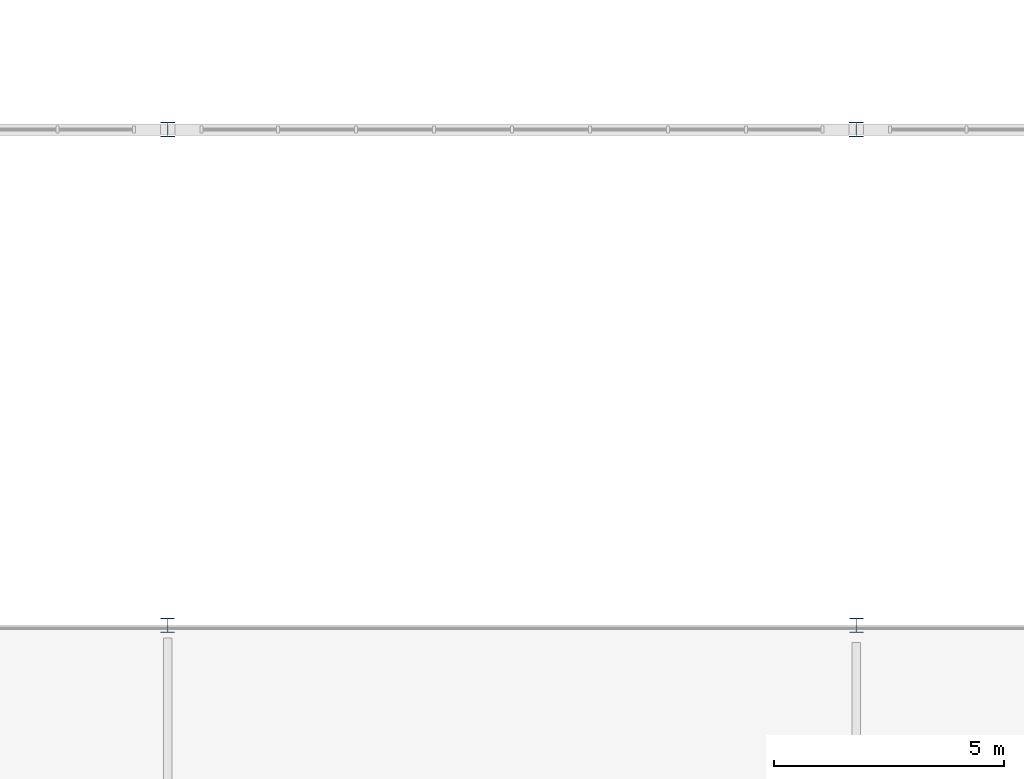
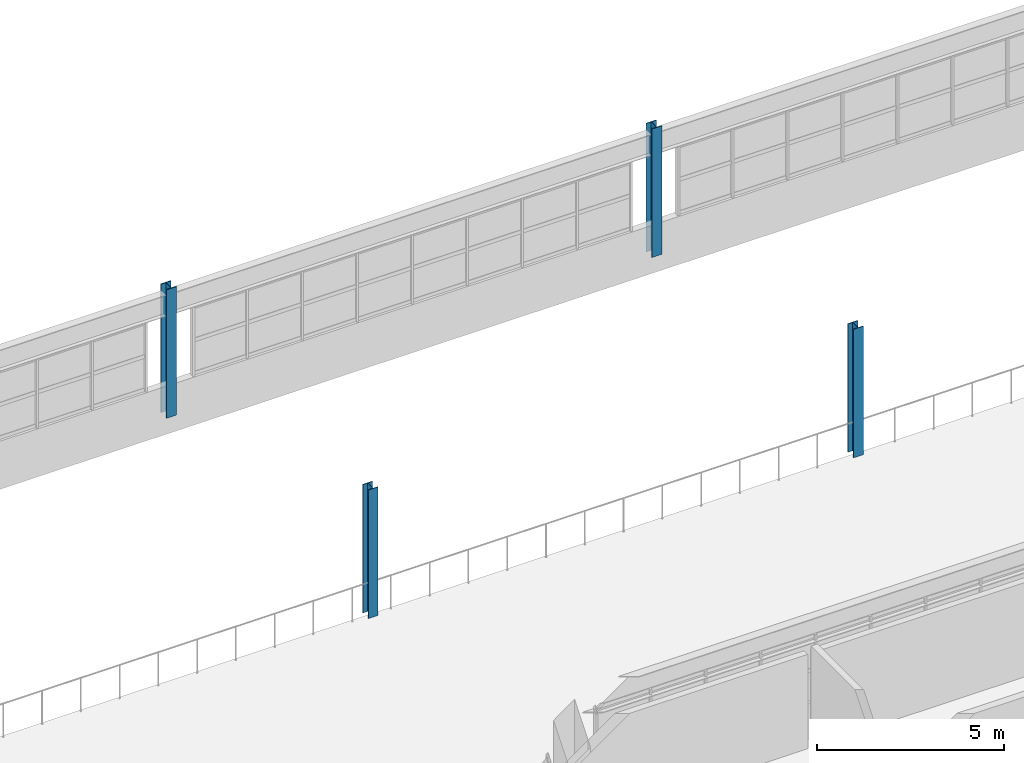
# One storey, part 3 of 92: 4 columns.
"""IFC4 building model written with IfcOpenShell, lengths in metres."""

from ifc_helpers import new_model, si_unit, direction, frame, origin, origin_2d, place, context, subcontext, project, spatial, i_section, extrude, material, material_profile, profile_set, type_object, element, save


model = new_model("IFC4")

# Units and contexts
model_context = context("Model", 3, precision=1e-05, world=origin(), true_north=direction((0.0, 1.0)))
body_context = subcontext(model_context, "Body", "Model", "MODEL_VIEW")
ifc_project = project(units=[si_unit("LENGTHUNIT", "METRE"), si_unit("AREAUNIT", "SQUARE_METRE"), si_unit("VOLUMEUNIT", "CUBIC_METRE"), si_unit("PLANEANGLEUNIT", "RADIAN"), si_unit("MASSUNIT", "GRAM", prefix="KILO")], contexts=[model_context])

# Site, building, storey
site_placement = place(None, origin())
site = spatial("IfcSite", under=ifc_project, at=site_placement, CompositionType="ELEMENT")
building_placement = place(site_placement, origin())
building = spatial("IfcBuilding", under=site, at=building_placement, Name="Solanera Park Tramway Depot", CompositionType="ELEMENT")
storey_placement = place(building_placement, frame((0.0, 0.0, 4.800048828125)))
storey = spatial("IfcBuildingStorey", under=building, at=storey_placement, Name="L01", CompositionType="ELEMENT", Elevation=4.800048828125)

# Columns
ifc_material_1 = material(Name="Steel AS/NZS 3679.1 Grade 350", Category="steel")
ifc_material_profile_1 = material_profile(ifc_material_1, i_section(OverallWidth=0.310546875, OverallDepth=0.3271484375, WebThickness=0.015625, FlangeThickness=0.02490234375, at=origin_2d()), Name="310UC158")
ifc_profile_set_1 = profile_set([ifc_material_profile_1], Name="Steel AS/NZS 3679.1 Grade 350")
column_type_1 = type_object("IfcColumnType", Name="Steel Column Ext 310UC158", PredefinedType="COLUMN", material=ifc_profile_set_1)
for number, where, z_axis, x_axis, name in (
    (1, (45.0, 54.0, 0.0), (0.0, 0.0, 1.0), (1.0, 0.0, 0.0), "L01 Column V2-X450-Y540"),
    (2, (60.0, 54.0, 0.0), (0.0, 0.0, 1.0), (1.0, 0.0, 0.0), "L01 Column V2-X600-Y540"),
):
    element("IfcColumn", number, at=place(storey_placement, frame(where, z_axis=z_axis, x_axis=x_axis)), inside=storey, type_object=column_type_1, Name=name, PredefinedType="COLUMN", context=body_context, shape_type="SweptSolid", body=[
        extrude(i_section(OverallWidth=0.310546875, OverallDepth=0.3271484375, WebThickness=0.015625, FlangeThickness=0.02490234375, at=origin_2d()), origin(), (0.0, 0.0, 1.0), 4.199951171875),
    ])
ifc_material_2 = material(Name="Steel AS/NZS 3679.1 Grade 350", Category="steel")
ifc_material_profile_2 = material_profile(ifc_material_2, i_section(OverallWidth=0.306884765625, OverallDepth=0.314697265625, WebThickness=0.011962890625, FlangeThickness=0.018798828125, at=origin_2d()), Name="310UC118")
ifc_profile_set_2 = profile_set([ifc_material_profile_2], Name="Steel AS/NZS 3679.1 Grade 350")
column_type_2 = type_object("IfcColumnType", Name="Steel Column Int 310UC118", PredefinedType="COLUMN", material=ifc_profile_set_2)
for number, where, z_axis, x_axis, name in (
    (3, (45.0, 43.199951171875, 0.0), (0.0, 0.0, 1.0), (1.0, 0.0, 0.0), "L01 Column V2-X450-Y432"),
    (4, (60.0, 43.199951171875, 0.0), (0.0, 0.0, 1.0), (1.0, 0.0, 0.0), "L01 Column V2-X600-Y432"),
):
    element("IfcColumn", number, at=place(storey_placement, frame(where, z_axis=z_axis, x_axis=x_axis)), inside=storey, type_object=column_type_2, Name=name, PredefinedType="COLUMN", context=body_context, shape_type="SweptSolid", body=[
        extrude(i_section(OverallWidth=0.306884765625, OverallDepth=0.314697265625, WebThickness=0.011962890625, FlangeThickness=0.018798828125, at=origin_2d()), origin(), (0.0, 0.0, 1.0), 4.199951171875),
    ])

save(model, "model.ifc")
